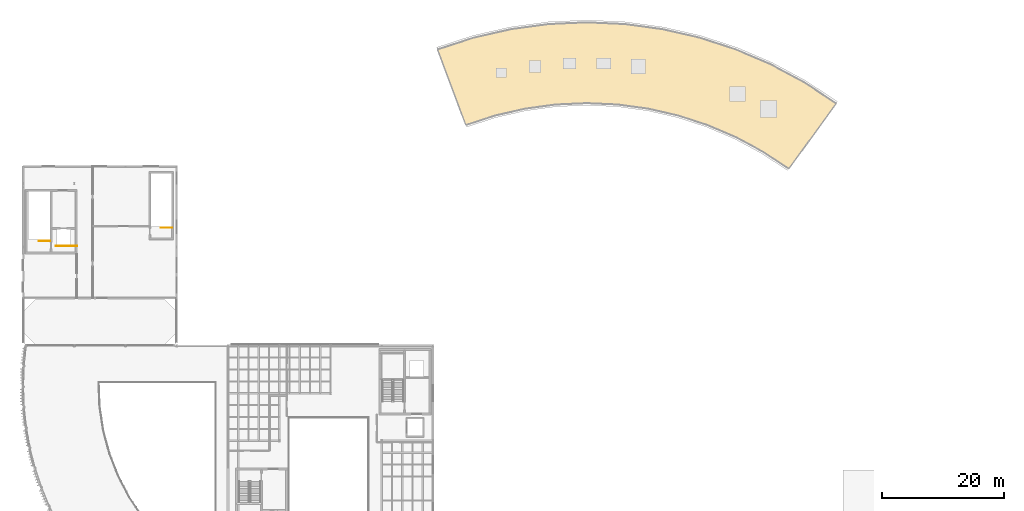
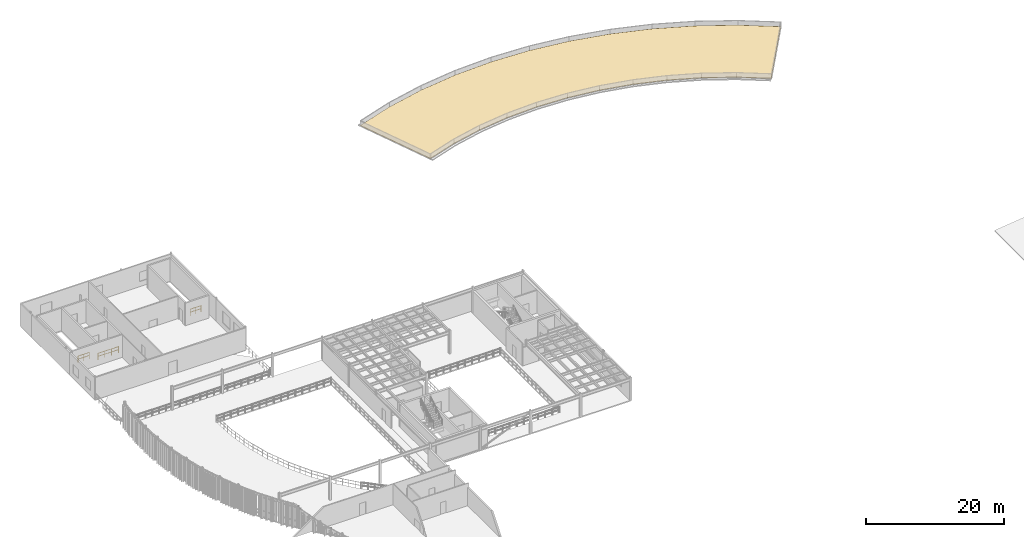
# One storey, part 32 of 32: 3 railings, 1 covering.
"""IFC4 building model written with IfcOpenShell, lengths in metres."""

from ifc_helpers import new_model, si_unit, direction, frame, origin, origin_2d, place, context, subcontext, project, spatial, polyline, circle, outline, extrude, material, layer, layer_set, type_object, element, save


model = new_model("IFC4")

# Units and contexts
model_context = context("Model", 3, precision=1e-05, world=origin(), true_north=direction((0.0, 1.0)))
body_context = subcontext(model_context, "Body", "Model", "MODEL_VIEW")
ifc_project = project(units=[si_unit("LENGTHUNIT", "METRE"), si_unit("AREAUNIT", "SQUARE_METRE"), si_unit("VOLUMEUNIT", "CUBIC_METRE"), si_unit("PLANEANGLEUNIT", "RADIAN"), si_unit("MASSUNIT", "GRAM", prefix="KILO")], contexts=[model_context])

# Site, building, storey
site_placement = place(None, origin())
site = spatial("IfcSite", under=ifc_project, at=site_placement, CompositionType="ELEMENT")
building_placement = place(site_placement, origin())
building = spatial("IfcBuilding", under=site, at=building_placement, Name="Selat Folded Stagehouse", CompositionType="ELEMENT")
storey_placement = place(building_placement, frame((0.0, 0.0, 19.199951171875)))
storey = spatial("IfcBuildingStorey", under=building, at=storey_placement, Name="L04", CompositionType="ELEMENT", Elevation=19.199951171875)

# Covering
ifc_material_1 = material(Name="Standing-seam aluminium and rigid insulation", Category="aluminium")
ifc_layer_1 = layer(ifc_material_1, 0.06494140625)
ifc_layer_set_1 = layer_set([ifc_layer_1], Name="Standing-seam aluminium and rigid insulation")
covering_type = type_object("IfcCoveringType", Name="COV-ROOF-65", PredefinedType="ROOFING", material=ifc_layer_set_1)
covering_placement = place(storey_placement, origin())
element("IfcCovering", 1, at=covering_placement, inside=storey, type_object=covering_type, Name="L04 standing-seam roof covering COV-RF-V6", PredefinedType="ROOFING", context=body_context, shape_type="SweptSolid", body=[
    extrude(outline(polyline([(72.575439453125, 90.822509765625), (77.39013671875, 92.38671875), (82.32568359375, 93.513427734375), (87.342529296875, 94.19287109375), (92.39990234375, 94.419921875), (97.45751953125, 94.19287109375), (102.47412109375, 93.513427734375), (107.409912109375, 92.38671875), (112.224609375, 90.822509765625), (116.879638671875, 88.832763671875), (121.337890625, 86.43359375), (125.56298828125, 83.644775390625), (133.298095703125, 94.29150390625), (128.08740234375, 97.73095703125), (122.589599609375, 100.689453125), (116.8486328125, 103.143310546875), (110.910888671875, 105.072509765625), (104.823974609375, 106.4619140625), (98.63720703125, 107.2998046875), (92.39990234375, 107.580078125), (86.162841796875, 107.2998046875), (79.97607421875, 106.4619140625), (73.88916015625, 105.072509765625), (67.951416015625, 103.143310546875), (72.575439453125, 90.822509765625)])), origin(), (0.0, 0.0, 1.0), 0.06494140625),
])

# Railings
ifc_material_2 = material(Name="Bronze-anodised steel balustrade", Category="steel")
ifc_layer_2 = layer(ifc_material_2, 0.06494140625)
ifc_layer_set_2 = layer_set([ifc_layer_2], Name="Bronze-anodised steel balustrade")
railing_type = type_object("IfcRailingType", Name="RLG-BAL-1120", PredefinedType="BALUSTRADE", material=ifc_layer_set_2)
railing_1_placement = place(storey_placement, frame((5.39990234375, 70.949951171875, 0.0)))
element("IfcRailing", 2, at=railing_1_placement, inside=storey, type_object=railing_type, Name="L04 CR-5 shaft rim guard", PredefinedType="BALUSTRADE", context=body_context, shape_type="SweptSolid", body=[
    extrude(circle(Radius=0.02392578125, at=origin_2d()), frame((0.0, 0.0, 1.09619140625), z_axis=(1.0, 0.0, 0.0), x_axis=(0.0, 1.0, 0.0)), (0.0, 0.0, 1.0), 3.4501953125),
    extrude(circle(Radius=0.02392578125, at=origin_2d()), frame((0.0, 0.0, 0.56005859375), z_axis=(1.0, 0.0, 0.0), x_axis=(0.0, 1.0, 0.0)), (0.0, 0.0, 1.0), 3.4501953125),
    extrude(circle(Radius=0.02099609375, at=origin_2d()), origin(), (0.0, 0.0, 1.0), 1.072021484375),
    extrude(circle(Radius=0.02099609375, at=origin_2d()), frame((1.150146484375, 0.0, 0.0)), (0.0, 0.0, 1.0), 1.072021484375),
    extrude(circle(Radius=0.02099609375, at=origin_2d()), frame((2.300048828125, 0.0, 0.0)), (0.0, 0.0, 1.0), 1.072021484375),
    extrude(circle(Radius=0.02099609375, at=origin_2d()), frame((3.4501953125, 0.0, 0.0)), (0.0, 0.0, 1.0), 1.072021484375),
])
railing_2_placement = place(storey_placement, frame((4.449951171875, 71.7900390625, 0.0)))
element("IfcRailing", 3, at=railing_2_placement, inside=storey, type_object=railing_type, Name="L04 ST-05 top well guard 1", PredefinedType="BALUSTRADE", context=body_context, shape_type="SweptSolid", body=[
    extrude(circle(Radius=0.02392578125, at=origin_2d()), frame((0.0, 0.0, 1.09619140625), z_axis=(-1.0, 0.0, 0.0), x_axis=(0.0, -1.0, 0.0)), (0.0, 0.0, 1.0), 1.8798828125),
    extrude(circle(Radius=0.02392578125, at=origin_2d()), frame((0.0, 0.0, 0.56005859375), z_axis=(-1.0, 0.0, 0.0), x_axis=(0.0, -1.0, 0.0)), (0.0, 0.0, 1.0), 1.8798828125),
    extrude(circle(Radius=0.02099609375, at=origin_2d()), origin(), (0.0, 0.0, 1.0), 1.072021484375),
    extrude(circle(Radius=0.02099609375, at=origin_2d()), frame((-0.93994140625, 0.0, 0.0)), (0.0, 0.0, 1.0), 1.072021484375),
    extrude(circle(Radius=0.02099609375, at=origin_2d()), frame((-1.8798828125, 0.0, 0.0)), (0.0, 0.0, 1.0), 1.072021484375),
])
railing_3_placement = place(storey_placement, frame((24.419921875, 73.929931640625, 0.0)))
element("IfcRailing", 4, at=railing_3_placement, inside=storey, type_object=railing_type, Name="L04 ST-07 top well guard 1", PredefinedType="BALUSTRADE", context=body_context, shape_type="SweptSolid", body=[
    extrude(circle(Radius=0.02392578125, at=origin_2d()), frame((0.0, 0.0, 1.09619140625), z_axis=(-1.0, 0.0, 0.0), x_axis=(0.0, -1.0, 0.0)), (0.0, 0.0, 1.0), 1.83984375),
    extrude(circle(Radius=0.02392578125, at=origin_2d()), frame((0.0, 0.0, 0.56005859375), z_axis=(-1.0, 0.0, 0.0), x_axis=(0.0, -1.0, 0.0)), (0.0, 0.0, 1.0), 1.83984375),
    extrude(circle(Radius=0.02099609375, at=origin_2d()), origin(), (0.0, 0.0, 1.0), 1.072021484375),
    extrude(circle(Radius=0.02099609375, at=origin_2d()), frame((-0.919921875, 0.0, 0.0)), (0.0, 0.0, 1.0), 1.072021484375),
    extrude(circle(Radius=0.02099609375, at=origin_2d()), frame((-1.83984375, 0.0, 0.0)), (0.0, 0.0, 1.0), 1.072021484375),
])

save(model, "model.ifc")
